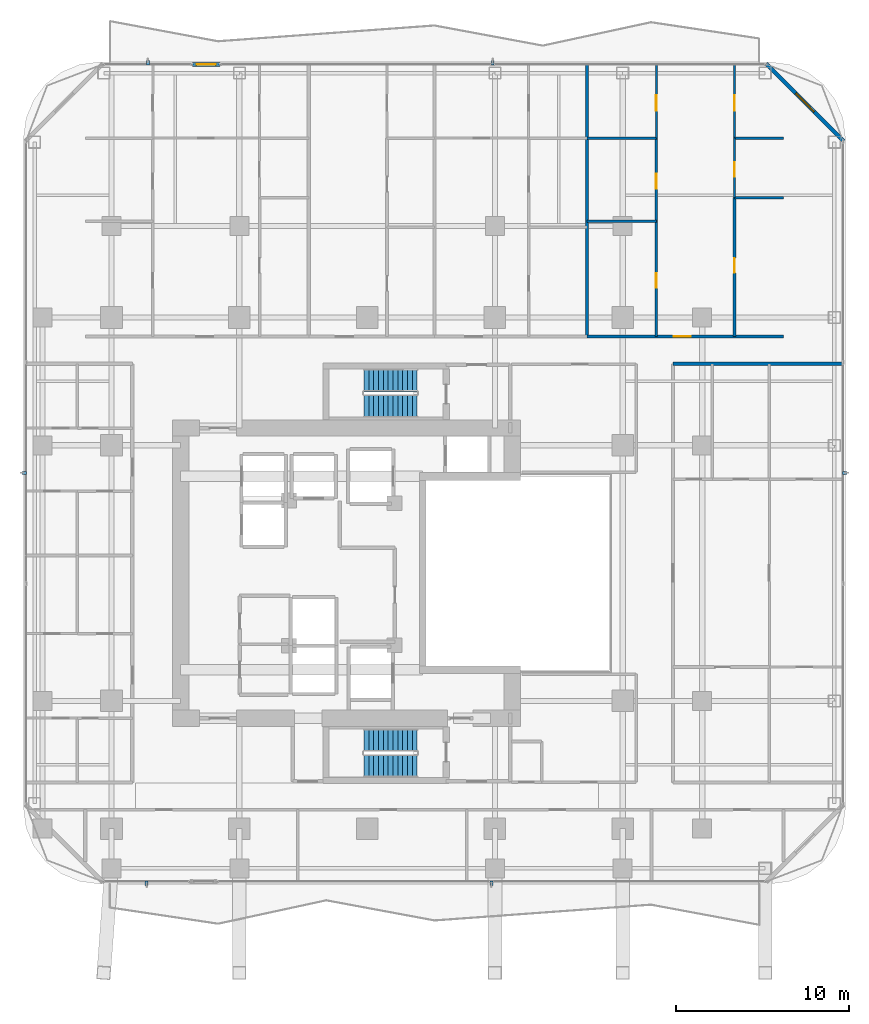
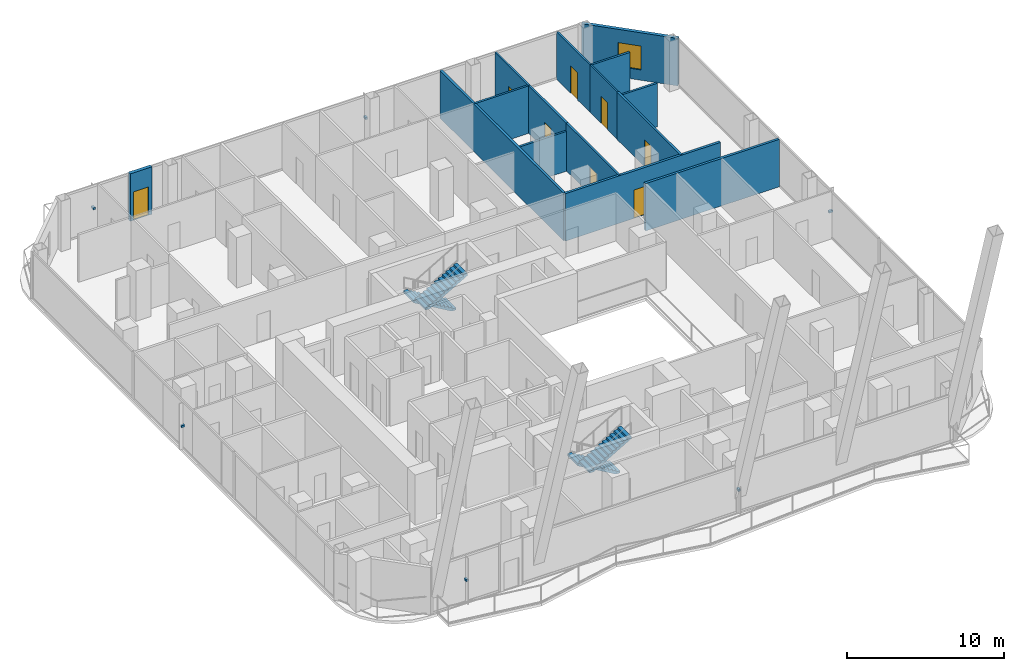
# One storey, part 23 of 30: 15 walls, 8 doors, 6 discrete accessories, 4 stair flights, 1 window, 9 openings, 2 elements without a shape of their own.
"""IFC4 building model written with IfcOpenShell, lengths in metres."""

from ifc_helpers import new_model, si_unit, direction, frame, frame_2d, origin, origin_2d, place, context, subcontext, project, spatial, polyline, rectangle, outline, extrude, material, layer, layer_set, type_object, element, fill, aggregate, save


model = new_model("IFC4")

# Units and contexts
model_context = context("Model", 3, precision=1e-05, world=origin(), true_north=direction((0.0, 1.0)))
body_context = subcontext(model_context, "Body", "Model", "MODEL_VIEW")
ifc_project = project(units=[si_unit("LENGTHUNIT", "METRE"), si_unit("AREAUNIT", "SQUARE_METRE"), si_unit("VOLUMEUNIT", "CUBIC_METRE"), si_unit("PLANEANGLEUNIT", "RADIAN"), si_unit("MASSUNIT", "GRAM", prefix="KILO")], contexts=[model_context])

# Site, building, storey
site_placement = place(None, origin())
site = spatial("IfcSite", under=ifc_project, at=site_placement, CompositionType="ELEMENT")
building_placement = place(site_placement, origin())
building = spatial("IfcBuilding", under=site, at=building_placement, Name="Khorvyn Point Tower", CompositionType="ELEMENT")
storey_placement = place(building_placement, frame((0.0, 0.0, 117.300048828125)))
storey = spatial("IfcBuildingStorey", under=building, at=storey_placement, Name="L29", CompositionType="ELEMENT", Elevation=117.300048828125)

# Wall, opening, door
ifc_material_1 = material(Name="Double acoustic gypsum on twin steel stud", Category="steel")
ifc_layer_1 = layer(ifc_material_1, 0.179931640625)
ifc_layer_set_1 = layer_set([ifc_layer_1], Name="Acoustic Double-Stud Apartment Demising Wall 180")
wall_type_1 = type_object("IfcWallType", Name="Acoustic Double-Stud Apartment Demising Wall 180", PredefinedType="PARTITIONING", material=ifc_layer_set_1)
wall_1_placement = place(storey_placement, frame((12.736083984375, 13.699951171875, 0.0), z_axis=(0.0, 0.0, 1.0), x_axis=(1.0, 0.0, 0.0)))
wall_1 = element("IfcWall", 1, at=wall_1_placement, inside=storey, type_object=wall_type_1, Name="Wall", PredefinedType="PARTITIONING", context=body_context, shape_type="SweptSolid", body=[
    extrude(rectangle(XDim=11.384033203125, YDim=0.179931640625, at=frame_2d((5.69189453125, 0.0))), origin(), (0.0, 0.0, 1.0), 3.679931640625),
])
opening_1_placement = place(wall_1_placement, frame((5.01220703125, 0.0, 0.0)))
opening_1 = element("IfcOpeningElement", 2, at=opening_1_placement, cuts=wall_1, Name="Opening ID-AP60", PredefinedType="OPENING", context=body_context, shape_type="SweptSolid", body=[
    extrude(rectangle(XDim=1.0, YDim=2.199951171875, at=frame_2d((0.5, 1.10009765625))), frame((0.0, 0.099853515625, 0.0), z_axis=(0.0, -1.0, 0.0), x_axis=(1.0, 0.0, 0.0)), (0.0, 0.0, 1.0), 0.199951171875),
])
ifc_material_2 = material(Name="Engineered hardwood fire-rated leaf", Category="wood")
door_type_1 = type_object("IfcDoorType", Name="Acoustic Solid-Core Timber Apartment Entrance Door 1000x2200", OperationType="NOTDEFINED", PredefinedType="DOOR", material=ifc_material_2)
door_1_placement = place(opening_1_placement, origin())
door_1 = element("IfcDoor", 3, at=door_1_placement, inside=storey, type_object=door_type_1, Name="Door", OperationType="SINGLE_SWING_RIGHT", OverallHeight=2.199951171875, OverallWidth=1.0, PredefinedType="DOOR", context=body_context, shape_type="SweptSolid", body=[
    extrude(rectangle(XDim=1.0, YDim=2.199951171875, at=frame_2d((0.5, 1.10009765625))), frame((0.0, 0.02490234375, 0.0), z_axis=(0.0, -1.0, 0.0), x_axis=(1.0, 0.0, 0.0)), (0.0, 0.0, 1.0), 0.050048828125),
])
fill(opening_1, door_1)

# Walls
wall_2_placement = place(storey_placement, frame((12.736083984375, 13.699951171875, 0.0), z_axis=(0.0, 0.0, 1.0), x_axis=(0.0, 1.0, 0.0)))
element("IfcWall", 4, at=wall_2_placement, inside=storey, type_object=wall_type_1, Name="Wall", PredefinedType="PARTITIONING", context=body_context, shape_type="SweptSolid", body=[
    extrude(rectangle(XDim=15.72998046875, YDim=0.179931640625, at=frame_2d((7.864990234375, 0.0))), origin(), (0.0, 0.0, 1.0), 3.679931640625),
])
wall_3_placement = place(storey_placement, frame((17.699951171875, 12.1201171875, 0.0), z_axis=(0.0, 0.0, 1.0), x_axis=(1.0, 0.0, 0.0)))
element("IfcWall", 5, at=wall_3_placement, inside=storey, type_object=wall_type_1, Name="Wall", PredefinedType="PARTITIONING", context=body_context, shape_type="SweptSolid", body=[
    extrude(rectangle(XDim=9.830078125, YDim=0.179931640625, at=frame_2d((4.9150390625, 0.0))), origin(), (0.0, 0.0, 1.0), 3.679931640625),
])

# Wall, opening, door
ifc_material_3 = material(Name="Pale anodised aluminium rainscreen on steel stud", Category="steel")
ifc_layer_2 = layer(ifc_material_3, 0.239990234375)
ifc_layer_set_2 = layer_set([ifc_layer_2], Name="Anodised Aluminium Insulated Corner Spandrel Wall 240")
wall_type_2 = type_object("IfcWallType", Name="Anodised Aluminium Insulated Corner Spandrel Wall 240", PredefinedType="SOLIDWALL", material=ifc_layer_set_2)
wall_4_placement = place(storey_placement, frame((-10.10888671875, 29.449951171875, 0.0), z_axis=(0.0, 0.0, 1.0), x_axis=(1.0, 0.0, 0.0)))
wall_4 = element("IfcWall", 6, at=wall_4_placement, inside=storey, type_object=wall_type_2, Name="L29 North Outdoor Threshold Wall", PredefinedType="SOLIDWALL", context=body_context, shape_type="SweptSolid", body=[
    extrude(rectangle(XDim=1.579833984375, YDim=0.239990234375, at=frame_2d((0.7900390625, 0.0))), origin(), (0.0, 0.0, 1.0), 3.679931640625),
])
opening_2_placement = place(wall_4_placement, frame((0.239990234375, 0.0, 0.0)))
opening_2 = element("IfcOpeningElement", 7, at=opening_2_placement, cuts=wall_4, Name="Opening BD-1122", PredefinedType="OPENING", context=body_context, shape_type="SweptSolid", body=[
    extrude(rectangle(XDim=1.10009765625, YDim=2.199951171875, at=frame_2d((0.550048828125, 1.10009765625))), frame((0.0, 0.1298828125, 0.0), z_axis=(0.0, -1.0, 0.0), x_axis=(1.0, 0.0, 0.0)), (0.0, 0.0, 1.0), 0.260009765625),
])
ifc_material_4 = material(Name="Anodised aluminium 6063-T6 and laminated Low-E glass", Category="aluminium")
door_type_2 = type_object("IfcDoorType", Name="Glazed Balcony and Terrace Threshold Door 1100x2200", OperationType="NOTDEFINED", PredefinedType="DOOR", material=ifc_material_4)
door_2_placement = place(opening_2_placement, origin())
door_2 = element("IfcDoor", 8, at=door_2_placement, inside=storey, type_object=door_type_2, Name="L29 North Glazed Balcony Outdoor Door", OperationType="SINGLE_SWING_LEFT", OverallHeight=2.199951171875, OverallWidth=1.10009765625, PredefinedType="DOOR", context=body_context, shape_type="SweptSolid", body=[
    extrude(rectangle(XDim=1.10009765625, YDim=2.199951171875, at=frame_2d((0.550048828125, 1.10009765625))), frame((0.0, 0.02490234375, 0.0), z_axis=(0.0, -1.0, 0.0), x_axis=(1.0, 0.0, 0.0)), (0.0, 0.0, 1.0), 0.050048828125),
])
fill(opening_2, door_2)

# Wall, opening, window
wall_5_placement = place(storey_placement, frame((23.107666015625, 29.492431640625, 0.0), z_axis=(0.0, 0.0, 1.0), x_axis=(0.707087534163, -0.707126027686, 0.0)))
wall_5 = element("IfcWall", 9, at=wall_5_placement, inside=storey, type_object=wall_type_2, Name="L29 Rounded Corner Wall NE", PredefinedType="SOLIDWALL", context=body_context, shape_type="SweptSolid", body=[
    extrude(rectangle(XDim=6.34228515625, YDim=0.239990234375, at=frame_2d((3.171142578125, 0.0))), origin(), (0.0, 0.0, 1.0), 3.679931640625),
])
opening_3_placement = place(wall_5_placement, frame((2.42138671875, 0.0, 0.800048828125)))
opening_3 = element("IfcOpeningElement", 10, at=opening_3_placement, cuts=wall_5, Name="Opening WN-1518", PredefinedType="OPENING", context=body_context, shape_type="SweptSolid", body=[
    extrude(rectangle(XDim=1.5, YDim=1.85009765625, at=frame_2d((0.75, 0.925048828125))), frame((0.0, 0.1298828125, 0.0), z_axis=(0.0, -1.0, 0.0), x_axis=(1.0, 0.0, 0.0)), (0.0, 0.0, 1.0), 0.260009765625),
])
window_type = type_object("IfcWindowType", Name="Anodised Aluminium Rounded-Corner Panoramic Window 1500x1850", PartitioningType="SINGLE_PANEL", PredefinedType="WINDOW", material=ifc_material_4)
window_placement = place(opening_3_placement, origin())
window = element("IfcWindow", 11, at=window_placement, inside=storey, type_object=window_type, Name="L29 Corner Panoramic Window NE", OverallHeight=1.85009765625, OverallWidth=1.5, PartitioningType="SINGLE_PANEL", PredefinedType="WINDOW", context=body_context, shape_type="SweptSolid", body=[
    extrude(rectangle(XDim=1.5, YDim=1.85009765625, at=frame_2d((0.75, 0.925048828125))), frame((0.0, 0.030029296875, 0.0), z_axis=(0.0, -1.0, 0.0), x_axis=(1.0, 0.0, 0.0)), (0.0, 0.0, 1.0), 0.06005859375),
])
fill(opening_3, window)

# Wall, opening, door
ifc_material_5 = material(Name="Gypsum plasterboard on steel stud", Category="steel")
ifc_layer_3 = layer(ifc_material_5, 0.1201171875)
ifc_layer_set_3 = layer_set([ifc_layer_3], Name="Gypsum Acoustic Stud Room Partition Wall 120")
wall_type_3 = type_object("IfcWallType", Name="Gypsum Acoustic Stud Room Partition Wall 120", PredefinedType="PARTITIONING", material=ifc_layer_set_3)
wall_6_placement = place(storey_placement, frame((16.748046875, 25.18994140625, 0.0), z_axis=(0.0, 0.0, 1.0), x_axis=(0.0, 1.0, 0.0)))
wall_6 = element("IfcWall", 12, at=wall_6_placement, inside=storey, type_object=wall_type_3, Name="Wall", PredefinedType="PARTITIONING", context=body_context, shape_type="SweptSolid", body=[
    extrude(rectangle(XDim=4.239990234375, YDim=0.1201171875, at=frame_2d((2.1201171875, 0.0))), origin(), (0.0, 0.0, 1.0), 3.679931640625),
])
opening_4_placement = place(wall_6_placement, frame((1.581298828125, 0.0, 0.0)))
opening_4 = element("IfcOpeningElement", 13, at=opening_4_placement, cuts=wall_6, Name="Opening ID-RM90", PredefinedType="OPENING", context=body_context, shape_type="SweptSolid", body=[
    extrude(rectangle(XDim=0.89990234375, YDim=2.10009765625, at=frame_2d((0.449951171875, 1.050048828125))), frame((0.0, 0.070068359375, 0.0), z_axis=(0.0, -1.0, 0.0), x_axis=(1.0, 0.0, 0.0)), (0.0, 0.0, 1.0), 0.14013671875),
])
ifc_material_6 = material(Name="Engineered oak veneer timber", Category="wood")
door_type_3 = type_object("IfcDoorType", Name="Flush Engineered Timber Room Door 900x2100", OperationType="NOTDEFINED", PredefinedType="DOOR", material=ifc_material_6)
door_3_placement = place(opening_4_placement, origin())
door_3 = element("IfcDoor", 14, at=door_3_placement, inside=storey, type_object=door_type_3, Name="Door", OperationType="SINGLE_SWING_LEFT", OverallHeight=2.10009765625, OverallWidth=0.89990234375, PredefinedType="DOOR", context=body_context, shape_type="SweptSolid", body=[
    extrude(rectangle(XDim=0.89990234375, YDim=2.10009765625, at=frame_2d((0.449951171875, 1.050048828125))), frame((0.0, 0.02490234375, 0.0), z_axis=(0.0, -1.0, 0.0), x_axis=(1.0, 0.0, 0.0)), (0.0, 0.0, 1.0), 0.050048828125),
])
fill(opening_4, door_3)

wall_7_placement = place(storey_placement, frame((21.27001953125, 21.742919921875, 0.0), z_axis=(0.0, 0.0, 1.0), x_axis=(0.0, 1.0, 0.0)))
wall_7 = element("IfcWall", 15, at=wall_7_placement, inside=storey, type_object=wall_type_3, Name="Wall", PredefinedType="PARTITIONING", context=body_context, shape_type="SweptSolid", body=[
    extrude(rectangle(XDim=3.447021484375, YDim=0.1201171875, at=frame_2d((1.7236328125, 0.0))), origin(), (0.0, 0.0, 1.0), 3.679931640625),
])
opening_5_placement = place(wall_7_placement, frame((1.2109375, 0.0, 0.0)))
opening_5 = element("IfcOpeningElement", 16, at=opening_5_placement, cuts=wall_7, Name="Opening ID-WC85", PredefinedType="OPENING", context=body_context, shape_type="SweptSolid", body=[
    extrude(rectangle(XDim=0.85009765625, YDim=2.10009765625, at=frame_2d((0.425048828125, 1.050048828125))), frame((0.0, 0.070068359375, 0.0), z_axis=(0.0, -1.0, 0.0), x_axis=(1.0, 0.0, 0.0)), (0.0, 0.0, 1.0), 0.14013671875),
])
ifc_material_7 = material(Name="High-pressure laminate on moisture-resistant core", Category="wood")
door_type_4 = type_object("IfcDoorType", Name="Moisture-Resistant Accessible Washroom Door 850x2100", OperationType="NOTDEFINED", PredefinedType="DOOR", material=ifc_material_7)
door_4_placement = place(opening_5_placement, origin())
door_4 = element("IfcDoor", 17, at=door_4_placement, inside=storey, type_object=door_type_4, Name="Door", OperationType="SINGLE_SWING_LEFT", OverallHeight=2.10009765625, OverallWidth=0.85009765625, PredefinedType="DOOR", context=body_context, shape_type="SweptSolid", body=[
    extrude(rectangle(XDim=0.85009765625, YDim=2.10009765625, at=frame_2d((0.425048828125, 1.050048828125))), frame((0.0, 0.02490234375, 0.0), z_axis=(0.0, -1.0, 0.0), x_axis=(1.0, 0.0, 0.0)), (0.0, 0.0, 1.0), 0.050048828125),
])
fill(opening_5, door_4)

wall_8_placement = place(storey_placement, frame((21.27001953125, 25.18994140625, 0.0), z_axis=(0.0, 0.0, 1.0), x_axis=(0.0, 1.0, 0.0)))
wall_8 = element("IfcWall", 18, at=wall_8_placement, inside=storey, type_object=wall_type_3, Name="Wall", PredefinedType="PARTITIONING", context=body_context, shape_type="SweptSolid", body=[
    extrude(rectangle(XDim=4.239990234375, YDim=0.1201171875, at=frame_2d((2.1201171875, 0.0))), origin(), (0.0, 0.0, 1.0), 3.679931640625),
])
opening_6_placement = place(wall_8_placement, frame((1.581298828125, 0.0, 0.0)))
opening_6 = element("IfcOpeningElement", 19, at=opening_6_placement, cuts=wall_8, Name="Opening ID-RM90", PredefinedType="OPENING", context=body_context, shape_type="SweptSolid", body=[
    extrude(rectangle(XDim=0.89990234375, YDim=2.10009765625, at=frame_2d((0.449951171875, 1.050048828125))), frame((0.0, 0.070068359375, 0.0), z_axis=(0.0, -1.0, 0.0), x_axis=(1.0, 0.0, 0.0)), (0.0, 0.0, 1.0), 0.14013671875),
])
door_5_placement = place(opening_6_placement, origin())
door_5 = element("IfcDoor", 20, at=door_5_placement, inside=storey, type_object=door_type_3, Name="Door", OperationType="SINGLE_SWING_RIGHT", OverallHeight=2.10009765625, OverallWidth=0.89990234375, PredefinedType="DOOR", context=body_context, shape_type="SweptSolid", body=[
    extrude(rectangle(XDim=0.89990234375, YDim=2.10009765625, at=frame_2d((0.449951171875, 1.050048828125))), frame((0.0, 0.02490234375, 0.0), z_axis=(0.0, -1.0, 0.0), x_axis=(1.0, 0.0, 0.0)), (0.0, 0.0, 1.0), 0.050048828125),
])
fill(opening_6, door_5)

ifc_material_8 = material(Name="Moisture-resistant gypsum and cement board", Category="gypsum")
ifc_layer_4 = layer(ifc_material_8, 0.14990234375)
ifc_layer_set_4 = layer_set([ifc_layer_4], Name="Moisture-Resistant Wet-Room Partition Wall 150")
wall_type_4 = type_object("IfcWallType", Name="Moisture-Resistant Wet-Room Partition Wall 150", PredefinedType="PARTITIONING", material=ifc_layer_set_4)
wall_9_placement = place(storey_placement, frame((16.748046875, 13.699951171875, 0.0), z_axis=(0.0, 0.0, 1.0), x_axis=(0.0, 1.0, 0.0)))
wall_9 = element("IfcWall", 21, at=wall_9_placement, inside=storey, type_object=wall_type_4, Name="Wall", PredefinedType="PARTITIONING", context=body_context, shape_type="SweptSolid", body=[
    extrude(rectangle(XDim=6.6640625, YDim=0.14990234375, at=frame_2d((3.33203125, 0.0))), origin(), (0.0, 0.0, 1.0), 3.679931640625),
])
opening_7_placement = place(wall_9_placement, frame((2.818359375, 0.0, 0.0)))
opening_7 = element("IfcOpeningElement", 22, at=opening_7_placement, cuts=wall_9, Name="Opening ID-WC85", PredefinedType="OPENING", context=body_context, shape_type="SweptSolid", body=[
    extrude(rectangle(XDim=0.85009765625, YDim=2.10009765625, at=frame_2d((0.425048828125, 1.050048828125))), frame((0.0, 0.0849609375, 0.0), z_axis=(0.0, -1.0, 0.0), x_axis=(1.0, 0.0, 0.0)), (0.0, 0.0, 1.0), 0.169921875),
])
door_6_placement = place(opening_7_placement, origin())
door_6 = element("IfcDoor", 23, at=door_6_placement, inside=storey, type_object=door_type_4, Name="Door", OperationType="SINGLE_SWING_LEFT", OverallHeight=2.10009765625, OverallWidth=0.85009765625, PredefinedType="DOOR", context=body_context, shape_type="SweptSolid", body=[
    extrude(rectangle(XDim=0.85009765625, YDim=2.10009765625, at=frame_2d((0.425048828125, 1.050048828125))), frame((0.0, 0.02490234375, 0.0), z_axis=(0.0, -1.0, 0.0), x_axis=(1.0, 0.0, 0.0)), (0.0, 0.0, 1.0), 0.050048828125),
])
fill(opening_7, door_6)

wall_10_placement = place(storey_placement, frame((16.748046875, 20.364013671875, 0.0), z_axis=(0.0, 0.0, 1.0), x_axis=(0.0, 1.0, 0.0)))
wall_10 = element("IfcWall", 24, at=wall_10_placement, inside=storey, type_object=wall_type_4, Name="Wall", PredefinedType="PARTITIONING", context=body_context, shape_type="SweptSolid", body=[
    extrude(rectangle(XDim=4.825927734375, YDim=0.14990234375, at=frame_2d((2.4130859375, 0.0))), origin(), (0.0, 0.0, 1.0), 3.679931640625),
])
opening_8_placement = place(wall_10_placement, frame((1.90087890625, 0.0, 0.0)))
opening_8 = element("IfcOpeningElement", 25, at=opening_8_placement, cuts=wall_10, Name="Opening ID-WC85", PredefinedType="OPENING", context=body_context, shape_type="SweptSolid", body=[
    extrude(rectangle(XDim=0.85009765625, YDim=2.10009765625, at=frame_2d((0.425048828125, 1.050048828125))), frame((0.0, 0.0849609375, 0.0), z_axis=(0.0, -1.0, 0.0), x_axis=(1.0, 0.0, 0.0)), (0.0, 0.0, 1.0), 0.169921875),
])
door_7_placement = place(opening_8_placement, origin())
door_7 = element("IfcDoor", 26, at=door_7_placement, inside=storey, type_object=door_type_4, Name="Door", OperationType="SINGLE_SWING_RIGHT", OverallHeight=2.10009765625, OverallWidth=0.85009765625, PredefinedType="DOOR", context=body_context, shape_type="SweptSolid", body=[
    extrude(rectangle(XDim=0.85009765625, YDim=2.10009765625, at=frame_2d((0.425048828125, 1.050048828125))), frame((0.0, 0.02490234375, 0.0), z_axis=(0.0, -1.0, 0.0), x_axis=(1.0, 0.0, 0.0)), (0.0, 0.0, 1.0), 0.050048828125),
])
fill(opening_8, door_7)

wall_11_placement = place(storey_placement, frame((21.27001953125, 13.699951171875, 0.0), z_axis=(0.0, 0.0, 1.0), x_axis=(0.0, 1.0, 0.0)))
wall_11 = element("IfcWall", 27, at=wall_11_placement, inside=storey, type_object=wall_type_4, Name="Wall", PredefinedType="PARTITIONING", context=body_context, shape_type="SweptSolid", body=[
    extrude(rectangle(XDim=8.04296875, YDim=0.14990234375, at=frame_2d((4.021484375, 0.0))), origin(), (0.0, 0.0, 1.0), 3.679931640625),
])
opening_9_placement = place(wall_11_placement, frame((3.6845703125, 0.0, 0.0)))
opening_9 = element("IfcOpeningElement", 28, at=opening_9_placement, cuts=wall_11, Name="Opening ID-WC85", PredefinedType="OPENING", context=body_context, shape_type="SweptSolid", body=[
    extrude(rectangle(XDim=0.85009765625, YDim=2.10009765625, at=frame_2d((0.425048828125, 1.050048828125))), frame((0.0, 0.0849609375, 0.0), z_axis=(0.0, -1.0, 0.0), x_axis=(1.0, 0.0, 0.0)), (0.0, 0.0, 1.0), 0.169921875),
])
door_8_placement = place(opening_9_placement, origin())
door_8 = element("IfcDoor", 29, at=door_8_placement, inside=storey, type_object=door_type_4, Name="Door", OperationType="SINGLE_SWING_RIGHT", OverallHeight=2.10009765625, OverallWidth=0.85009765625, PredefinedType="DOOR", context=body_context, shape_type="SweptSolid", body=[
    extrude(rectangle(XDim=0.85009765625, YDim=2.10009765625, at=frame_2d((0.425048828125, 1.050048828125))), frame((0.0, 0.02490234375, 0.0), z_axis=(0.0, -1.0, 0.0), x_axis=(1.0, 0.0, 0.0)), (0.0, 0.0, 1.0), 0.050048828125),
])
fill(opening_9, door_8)

# Walls
wall_12_placement = place(storey_placement, frame((12.736083984375, 20.364013671875, 0.0), z_axis=(0.0, 0.0, 1.0), x_axis=(1.0, 0.0, 0.0)))
element("IfcWall", 30, at=wall_12_placement, inside=storey, type_object=wall_type_4, Name="Wall", PredefinedType="PARTITIONING", context=body_context, shape_type="SweptSolid", body=[
    extrude(rectangle(XDim=4.011962890625, YDim=0.14990234375, at=frame_2d((2.005859375, 0.0))), origin(), (0.0, 0.0, 1.0), 3.08203125),
])
wall_13_placement = place(storey_placement, frame((12.736083984375, 25.18994140625, 0.0), z_axis=(0.0, 0.0, 1.0), x_axis=(1.0, 0.0, 0.0)))
element("IfcWall", 31, at=wall_13_placement, inside=storey, type_object=wall_type_4, Name="Wall", PredefinedType="PARTITIONING", context=body_context, shape_type="SweptSolid", body=[
    extrude(rectangle(XDim=4.011962890625, YDim=0.14990234375, at=frame_2d((2.005859375, 0.0))), origin(), (0.0, 0.0, 1.0), 3.679931640625),
])
wall_14_placement = place(storey_placement, frame((21.27001953125, 21.742919921875, 0.0), z_axis=(0.0, 0.0, 1.0), x_axis=(1.0, 0.0, 0.0)))
element("IfcWall", 32, at=wall_14_placement, inside=storey, type_object=wall_type_4, Name="Wall", PredefinedType="PARTITIONING", context=body_context, shape_type="SweptSolid", body=[
    extrude(rectangle(XDim=2.85009765625, YDim=0.14990234375, at=frame_2d((1.425048828125, 0.0))), origin(), (0.0, 0.0, 1.0), 3.369873046875),
])
wall_15_placement = place(storey_placement, frame((21.27001953125, 25.18994140625, 0.0), z_axis=(0.0, 0.0, 1.0), x_axis=(1.0, 0.0, 0.0)))
element("IfcWall", 33, at=wall_15_placement, inside=storey, type_object=wall_type_4, Name="Wall", PredefinedType="PARTITIONING", context=body_context, shape_type="SweptSolid", body=[
    extrude(rectangle(XDim=2.85009765625, YDim=0.14990234375, at=frame_2d((1.425048828125, 0.0))), origin(), (0.0, 0.0, 1.0), 3.679931640625),
])

# Stair, stair flights
ifc_material_9 = material(Name="Concrete C40/50", Category="concrete")
stair_type = type_object("IfcStairType", Name="Tower Concrete C40/50 Dogleg Exit Stair", PredefinedType="HALF_TURN_STAIR", material=ifc_material_9)
stair_1_placement = place(storey_placement, origin())
stair_1 = element("IfcStair", 34, at=stair_1_placement, inside=storey, type_object=stair_type, Name="L29 Tower Smokeproof Exit Stair South", PredefinedType="HALF_TURN_STAIR")
stair_flight_type = type_object("IfcStairFlightType", Name="Tower Concrete C40/50 Stair Flight", PredefinedType="STRAIGHT", material=ifc_material_9)
stair_flight_1_placement = place(storey_placement, frame((2.89990234375, -9.679931640625, 0.0), z_axis=(0.0, 0.0, 1.0), x_axis=(-1.0, 0.0, 0.0)))
stair_flight_1 = element("IfcStairFlight", 35, at=stair_flight_1_placement, type_object=stair_flight_type, Name="ST-01 flight 1", NumberOfRisers=12, NumberOfTreads=11, PredefinedType="STRAIGHT", RiserHeight=0.1625, TreadLength=0.28, context=body_context, shape_type="SweptSolid", body=[
    extrude(outline(polyline([(0.0, 0.0), (0.0, 0.16259765625), (0.280029296875, 0.16259765625), (0.280029296875, 0.324951171875), (0.56005859375, 0.324951171875), (0.56005859375, 0.487548828125), (0.840087890625, 0.487548828125), (0.840087890625, 0.64990234375), (1.1201171875, 0.64990234375), (1.1201171875, 0.8125), (1.39990234375, 0.8125), (1.39990234375, 0.97509765625), (1.679931640625, 0.97509765625), (1.679931640625, 1.137451171875), (1.9599609375, 1.137451171875), (1.9599609375, 1.300048828125), (2.239990234375, 1.300048828125), (2.239990234375, 1.46240234375), (2.52001953125, 1.46240234375), (2.52001953125, 1.625), (2.800048828125, 1.625), (2.800048828125, 1.78759765625), (3.080078125, 1.78759765625), (3.080078125, 1.949951171875), (3.080078125, 1.6142578125), (0.298583984375, 0.0), (0.0, 0.0)])), frame((0.0, 0.66015625, 0.0), z_axis=(0.0, -1.0, 0.0), x_axis=(1.0, 0.0, 0.0)), (0.0, 0.0, 1.0), 1.320068359375),
])
stair_flight_2_placement = place(storey_placement, frame((-0.179931640625, -11.159912109375, 1.949951171875), z_axis=(0.0, 0.0, 1.0), x_axis=(1.0, 0.0, 0.0)))
stair_flight_2 = element("IfcStairFlight", 36, at=stair_flight_2_placement, type_object=stair_flight_type, Name="ST-01 flight 2", NumberOfRisers=12, NumberOfTreads=11, PredefinedType="STRAIGHT", RiserHeight=0.1625, TreadLength=0.28, context=body_context, shape_type="SweptSolid", body=[
    extrude(outline(polyline([(0.0, 0.0), (0.0, 0.16259765625), (0.280029296875, 0.16259765625), (0.280029296875, 0.324951171875), (0.56005859375, 0.324951171875), (0.56005859375, 0.487548828125), (0.840087890625, 0.487548828125), (0.840087890625, 0.64990234375), (1.1201171875, 0.64990234375), (1.1201171875, 0.8125), (1.39990234375, 0.8125), (1.39990234375, 0.97509765625), (1.679931640625, 0.97509765625), (1.679931640625, 1.137451171875), (1.9599609375, 1.137451171875), (1.9599609375, 1.300048828125), (2.239990234375, 1.300048828125), (2.239990234375, 1.46240234375), (2.52001953125, 1.46240234375), (2.52001953125, 1.625), (2.800048828125, 1.625), (2.800048828125, 1.78759765625), (3.080078125, 1.78759765625), (3.080078125, 1.949951171875), (3.080078125, 1.6142578125), (0.298583984375, 0.0), (0.0, 0.0)])), frame((0.0, 0.66015625, 0.0), z_axis=(0.0, -1.0, 0.0), x_axis=(1.0, 0.0, 0.0)), (0.0, 0.0, 1.0), 1.320068359375),
])
aggregate(stair_1, [stair_flight_1, stair_flight_2])

stair_2_placement = place(storey_placement, origin())
stair_2 = element("IfcStair", 37, at=stair_2_placement, inside=storey, type_object=stair_type, Name="L29 Tower Smokeproof Exit Stair North", PredefinedType="HALF_TURN_STAIR")
stair_flight_3_placement = place(storey_placement, frame((2.89990234375, 11.159912109375, 0.0), z_axis=(0.0, 0.0, 1.0), x_axis=(-1.0, 0.0, 0.0)))
stair_flight_3 = element("IfcStairFlight", 38, at=stair_flight_3_placement, type_object=stair_flight_type, Name="ST-02 flight 1", NumberOfRisers=12, NumberOfTreads=11, PredefinedType="STRAIGHT", RiserHeight=0.1625, TreadLength=0.28, context=body_context, shape_type="SweptSolid", body=[
    extrude(outline(polyline([(0.0, 0.0), (0.0, 0.16259765625), (0.280029296875, 0.16259765625), (0.280029296875, 0.324951171875), (0.56005859375, 0.324951171875), (0.56005859375, 0.487548828125), (0.840087890625, 0.487548828125), (0.840087890625, 0.64990234375), (1.1201171875, 0.64990234375), (1.1201171875, 0.8125), (1.39990234375, 0.8125), (1.39990234375, 0.97509765625), (1.679931640625, 0.97509765625), (1.679931640625, 1.137451171875), (1.9599609375, 1.137451171875), (1.9599609375, 1.300048828125), (2.239990234375, 1.300048828125), (2.239990234375, 1.46240234375), (2.52001953125, 1.46240234375), (2.52001953125, 1.625), (2.800048828125, 1.625), (2.800048828125, 1.78759765625), (3.080078125, 1.78759765625), (3.080078125, 1.949951171875), (3.080078125, 1.6142578125), (0.298583984375, 0.0), (0.0, 0.0)])), frame((0.0, 0.66015625, 0.0), z_axis=(0.0, -1.0, 0.0), x_axis=(1.0, 0.0, 0.0)), (0.0, 0.0, 1.0), 1.320068359375),
])
stair_flight_4_placement = place(storey_placement, frame((-0.179931640625, 9.679931640625, 1.949951171875), z_axis=(0.0, 0.0, 1.0), x_axis=(1.0, 0.0, 0.0)))
stair_flight_4 = element("IfcStairFlight", 39, at=stair_flight_4_placement, type_object=stair_flight_type, Name="ST-02 flight 2", NumberOfRisers=12, NumberOfTreads=11, PredefinedType="STRAIGHT", RiserHeight=0.1625, TreadLength=0.28, context=body_context, shape_type="SweptSolid", body=[
    extrude(outline(polyline([(0.0, 0.0), (0.0, 0.16259765625), (0.280029296875, 0.16259765625), (0.280029296875, 0.324951171875), (0.56005859375, 0.324951171875), (0.56005859375, 0.487548828125), (0.840087890625, 0.487548828125), (0.840087890625, 0.64990234375), (1.1201171875, 0.64990234375), (1.1201171875, 0.8125), (1.39990234375, 0.8125), (1.39990234375, 0.97509765625), (1.679931640625, 0.97509765625), (1.679931640625, 1.137451171875), (1.9599609375, 1.137451171875), (1.9599609375, 1.300048828125), (2.239990234375, 1.300048828125), (2.239990234375, 1.46240234375), (2.52001953125, 1.46240234375), (2.52001953125, 1.625), (2.800048828125, 1.625), (2.800048828125, 1.78759765625), (3.080078125, 1.78759765625), (3.080078125, 1.949951171875), (3.080078125, 1.6142578125), (0.298583984375, 0.0), (0.0, 0.0)])), frame((0.0, 0.66015625, 0.0), z_axis=(0.0, -1.0, 0.0), x_axis=(1.0, 0.0, 0.0)), (0.0, 0.0, 1.0), 1.320068359375),
])
aggregate(stair_2, [stair_flight_3, stair_flight_4])

# Discrete accessories
ifc_material_10 = material(Name="Stainless steel 1.4401", Category="steel")
discrete_accessory_type = type_object("IfcDiscreteAccessoryType", Name="Stainless Steel 316 Facade Fin Fixing Bracket", PredefinedType="BRACKET", material=ifc_material_10)
for number, where, z_axis, x_axis, name in (
    (40, (7.199462890625, -17.949951171875, 1.759765625), (0.0, 0.0, 1.0), (-1.0, 0.0, 0.0), "L29 Solar Fin Fixing Bracket 01"),
    (41, (-12.7705078125, -17.949951171875, 1.759765625), (0.0, 0.0, 1.0), (-1.0, 0.0, 0.0), "L29 Solar Fin Fixing Bracket 01"),
    (42, (-12.694580078125, 29.550048828125, 1.759765625), (0.0, 0.0, 1.0), (1.0, 0.0, 0.0), "L29 Solar Fin Fixing Bracket 01"),
    (43, (7.275390625, 29.550048828125, 1.759765625), (0.0, 0.0, 1.0), (1.0, 0.0, 0.0), "L29 Solar Fin Fixing Bracket 01"),
    (44, (-19.85009765625, 5.800048828125, 1.759765625), (0.0, 0.0, 1.0), (0.0, 1.0, 0.0), "L29 Solar Fin Fixing Bracket 01"),
    (45, (27.64990234375, 5.800048828125, 1.759765625), (0.0, 0.0, 1.0), (0.0, -1.0, 0.0), "L29 Solar Fin Fixing Bracket 01"),
):
    element("IfcDiscreteAccessory", number, at=place(storey_placement, frame(where, z_axis=z_axis, x_axis=x_axis)), inside=storey, type_object=discrete_accessory_type, Name=name, PredefinedType="BRACKET", context=body_context, shape_type="SweptSolid", body=[
        extrude(rectangle(XDim=0.159912109375, YDim=0.260009765625, at=origin_2d()), origin(), (0.0, 0.0, 1.0), 0.159912109375),
    ])

save(model, "model.ifc")
